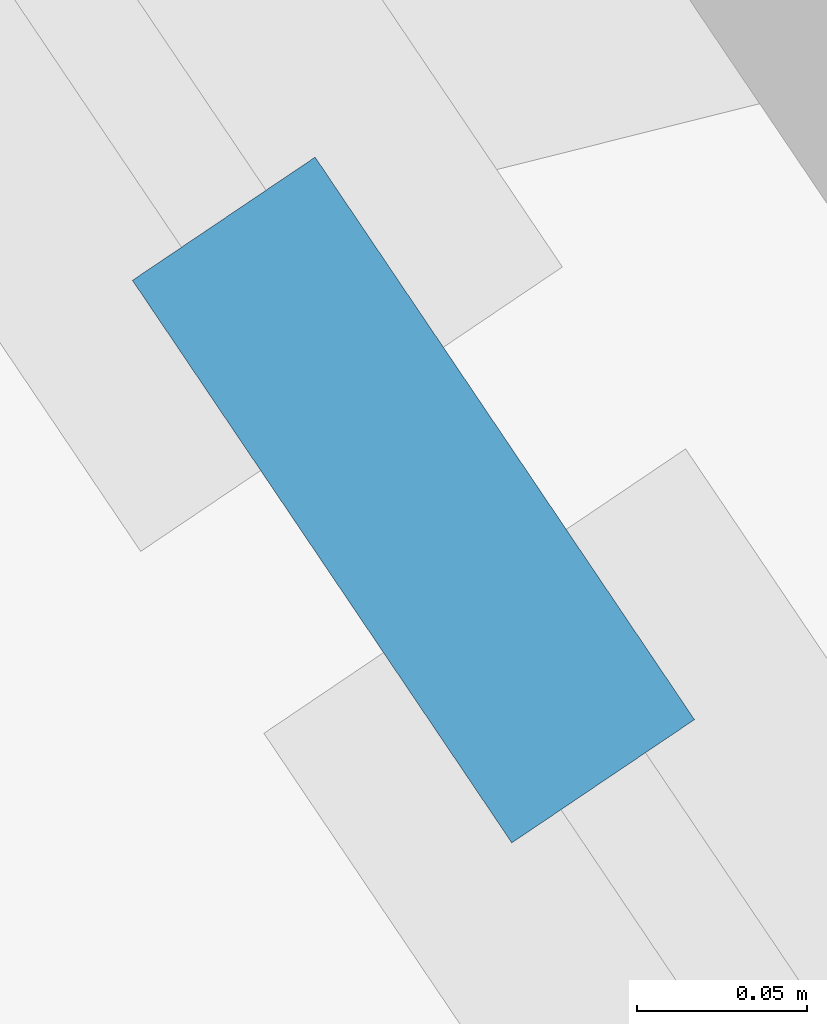
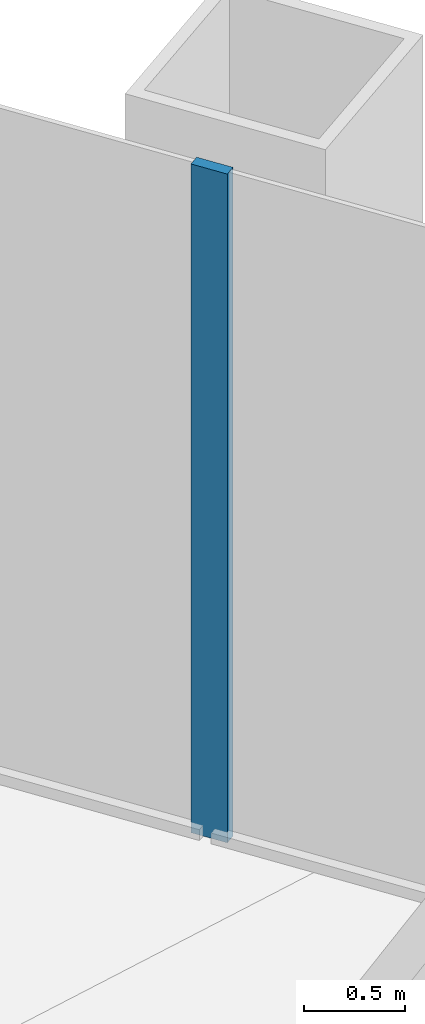
# One storey, part 5 of 14: 1 member, 1 element without a shape of its own.
"""IFC4 building model written with IfcOpenShell, lengths in metres."""

from ifc_helpers import new_model, si_unit, direction, frame, origin, origin_2d, place, context, subcontext, project, spatial, rectangle, extrude, material, material_profile, profile_set, type_object, element, aggregate, save


model = new_model("IFC4")

# Units and contexts
model_context = context("Model", 3, precision=1e-05, world=origin(), true_north=direction((0.0, 1.0)))
body_context = subcontext(model_context, "Body", "Model", "MODEL_VIEW")
ifc_project = project(units=[si_unit("LENGTHUNIT", "METRE"), si_unit("AREAUNIT", "SQUARE_METRE"), si_unit("VOLUMEUNIT", "CUBIC_METRE"), si_unit("PLANEANGLEUNIT", "RADIAN"), si_unit("MASSUNIT", "GRAM", prefix="KILO")], contexts=[model_context])

# Site, building, storey
site_placement = place(None, origin())
site = spatial("IfcSite", under=ifc_project, at=site_placement, CompositionType="ELEMENT")
building_placement = place(site_placement, origin())
building = spatial("IfcBuilding", under=site, at=building_placement, Name="Qingtian Harvest Tower", CompositionType="ELEMENT")
storey_placement = place(building_placement, frame((0.0, 0.0, 197.199951171875)))
storey = spatial("IfcBuildingStorey", under=building, at=storey_placement, Name="L42", CompositionType="ELEMENT", Elevation=197.199951171875)

# Curtain wall, member
ifc_material_1 = material(Name="Bronze-anodised aluminium curtain wall", Category="aluminium")
curtain_wall_type = type_object("IfcCurtainWallType", Name="Curtain wall CW4 office", PredefinedType="USERDEFINED", material=ifc_material_1)
curtain_wall_placement = place(storey_placement, origin())
curtain_wall = element("IfcCurtainWall", 1, at=curtain_wall_placement, inside=storey, type_object=curtain_wall_type, Name="Curtain wall CW4 L42 NE0-5", ObjectType="RECESSED CURTAIN WALL", PredefinedType="USERDEFINED")
ifc_material_2 = material(Name="Bronze-anodised aluminium mullion", Category="aluminium")
ifc_material_profile = material_profile(ifc_material_2, rectangle(XDim=0.06494140625, YDim=0.199951171875, at=origin_2d()), Name="AL 65x200")
ifc_profile_set = profile_set([ifc_material_profile], Name="Bronze-anodised aluminium mullion")
member_type = type_object("IfcMemberType", Name="Mullion CWM 65x200", PredefinedType="MULLION", material=ifc_profile_set)
member_placement = place(storey_placement, frame((23.150390625, 5.55712890625, 0.0), z_axis=(0.0, 0.0, 1.0), x_axis=(0.829037572555, 0.559192903471, 0.0)))
member = element("IfcMember", 2, at=member_placement, type_object=member_type, Name="CW4 mullion 6", PredefinedType="MULLION", context=body_context, shape_type="SweptSolid", body=[
    extrude(rectangle(XDim=0.06494140625, YDim=0.199951171875, at=origin_2d()), origin(), (0.0, 0.0, 1.0), 4.030029296875),
])
aggregate(curtain_wall, [member])

save(model, "model.ifc")
